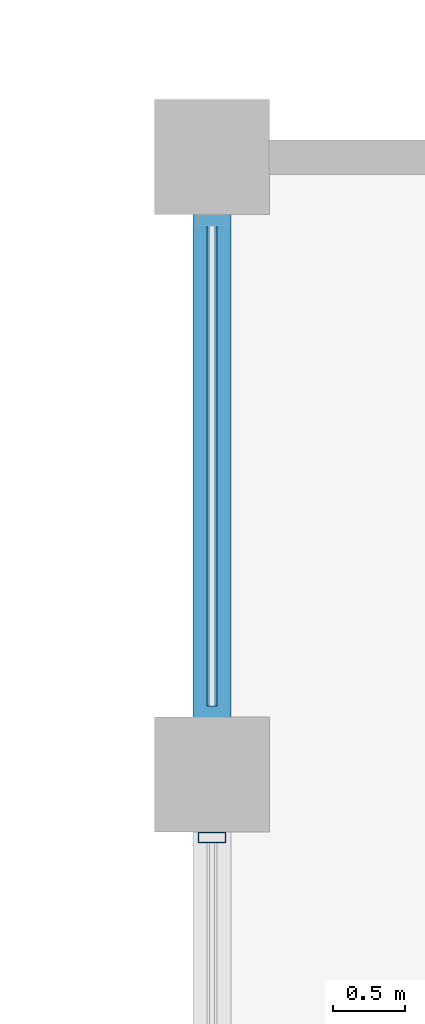
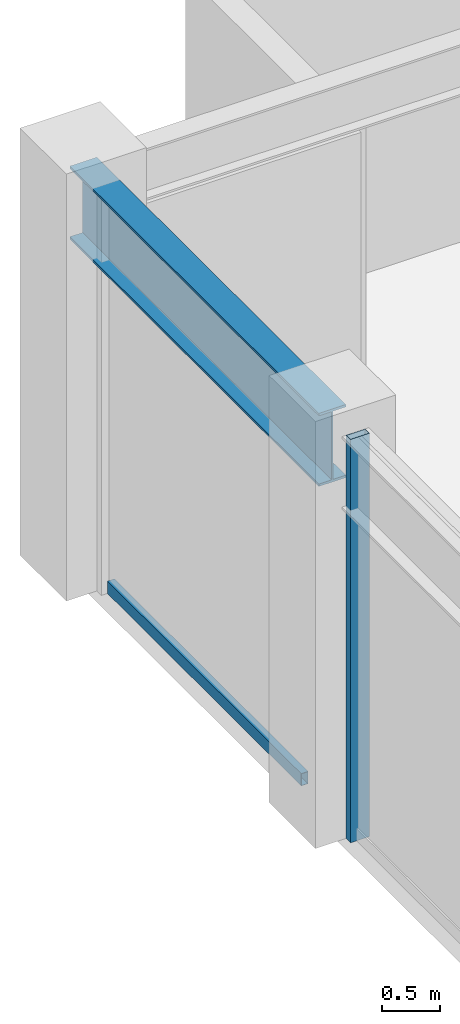
# One storey, part 14 of 28: 2 members, 1 beam, 1 element without a shape of its own.
"""IFC4 building model written with IfcOpenShell, lengths in metres."""

from ifc_helpers import new_model, si_unit, direction, frame, origin, origin_2d, place, context, subcontext, project, spatial, hollow_rectangle, i_section, extrude, material, layer, layer_set, material_profile, profile_set, type_object, element, aggregate, save


model = new_model("IFC4")

# Units and contexts
model_context = context("Model", 3, precision=1e-05, world=origin(), true_north=direction((0.0, 1.0)))
body_context = subcontext(model_context, "Body", "Model", "MODEL_VIEW")
ifc_project = project(units=[si_unit("LENGTHUNIT", "METRE"), si_unit("AREAUNIT", "SQUARE_METRE"), si_unit("VOLUMEUNIT", "CUBIC_METRE"), si_unit("PLANEANGLEUNIT", "RADIAN"), si_unit("MASSUNIT", "GRAM", prefix="KILO")], contexts=[model_context])

# Site, building, storey
site_placement = place(None, origin())
site = spatial("IfcSite", under=ifc_project, at=site_placement, CompositionType="ELEMENT")
building_placement = place(site_placement, origin())
building = spatial("IfcBuilding", under=site, at=building_placement, Name="Surkhivell Harbour Commons", CompositionType="ELEMENT")
storey_placement = place(building_placement, frame((0.0, 0.0, 249.75)))
storey = spatial("IfcBuildingStorey", under=building, at=storey_placement, Name="L65", CompositionType="ELEMENT", Elevation=249.75)

# Beam
ifc_material_1 = material(Name="Steel S355", Category="steel")
ifc_material_profile_1 = material_profile(ifc_material_1, i_section(OverallWidth=0.26806640625, OverallDepth=0.77001953125, WebThickness=0.015625, FlangeThickness=0.025390625, at=origin_2d()), Name="UB762x267x197")
ifc_profile_set_1 = profile_set([ifc_material_profile_1], Name="Steel S355")
beam_type = type_object("IfcBeamType", Name="BM-SPN-762", PredefinedType="SPANDREL", material=ifc_profile_set_1)
beam_placement = place(storey_placement, frame((-27.0, 16.199951171875, 3.864990234375), z_axis=(0.0, 1.0, 0.0), x_axis=(-1.0, 0.0, 0.0)))
element("IfcBeam", 1, at=beam_placement, inside=storey, type_object=beam_type, Name="L65 Tube Spandrel (-27.0,16.2)", PredefinedType="SPANDREL", context=body_context, shape_type="SweptSolid", body=[
    extrude(i_section(OverallWidth=0.26806640625, OverallDepth=0.77001953125, WebThickness=0.015625, FlangeThickness=0.025390625, at=origin_2d()), origin(), (0.0, 0.0, 1.0), 4.300048828125),
])

# Curtain wall, members
ifc_material_2 = material(Name="Anodised pale-metal aluminium and insulated glazing", Category="aluminium")
ifc_layer = layer(ifc_material_2, 0.18994140625)
ifc_layer_set = layer_set([ifc_layer], Name="Anodised pale-metal aluminium and insulated glazing")
curtain_wall_type = type_object("IfcCurtainWallType", Name="CW-SYS-Z3", PredefinedType="NOTDEFINED", material=ifc_layer_set)
curtain_wall_placement = place(storey_placement, origin())
curtain_wall = element("IfcCurtainWall", 2, at=curtain_wall_placement, inside=storey, type_object=curtain_wall_type, Name="L65 Curtain Wall CW-L65-E12S1", PredefinedType="NOTDEFINED")
ifc_material_3 = material(Name="Anodised pale-metal aluminium alloy 6063-T6", Category="aluminium")
ifc_material_profile_2 = material_profile(ifc_material_3, hollow_rectangle(XDim=0.074951171875, YDim=0.18994140625, WallThickness=0.00390625, at=origin_2d()), Name="ALU-MULL-75x190")
ifc_profile_set_2 = profile_set([ifc_material_profile_2], Name="Anodised pale-metal aluminium alloy 6063-T6")
member_type_1 = type_object("IfcMemberType", Name="CWM-190", PredefinedType="MULLION", material=ifc_profile_set_2)
member_1_placement = place(storey_placement, frame((-27.0, 15.760498046875, 0.0), z_axis=(0.0, 0.0, 1.0), x_axis=(0.0, -1.0, 0.0)))
member_1 = element("IfcMember", 3, at=member_1_placement, type_object=member_type_1, Name="CW-Z3 mullion 2", PredefinedType="MULLION", context=body_context, shape_type="SweptSolid", body=[
    extrude(hollow_rectangle(XDim=0.074951171875, YDim=0.18994140625, WallThickness=0.00390625, at=origin_2d()), origin(), (0.0, 0.0, 1.0), 4.25),
])
ifc_material_4 = material(Name="Champagne anodised aluminium alloy 6063-T6", Category="aluminium")
ifc_material_profile_3 = material_profile(ifc_material_4, hollow_rectangle(XDim=0.070068359375, YDim=0.1298828125, WallThickness=0.00341796875, at=origin_2d()), Name="ALU-TRAN-70x130")
ifc_profile_set_3 = profile_set([ifc_material_profile_3], Name="Champagne anodised aluminium alloy 6063-T6")
member_type_2 = type_object("IfcMemberType", Name="CWT-130", PredefinedType="USERDEFINED", material=ifc_profile_set_3)
member_2_placement = place(storey_placement, frame((-27.0, 20.02294921875, 0.06494140625), z_axis=(0.0, -1.0, 0.0), x_axis=(1.0, 0.0, 0.0)))
member_2 = element("IfcMember", 4, at=member_2_placement, type_object=member_type_2, Name="CW-Z3 transom 1.1", ObjectType="TRANSOM", PredefinedType="USERDEFINED", context=body_context, shape_type="SweptSolid", body=[
    extrude(hollow_rectangle(XDim=0.070068359375, YDim=0.1298828125, WallThickness=0.00341796875, at=origin_2d()), origin(), (0.0, 0.0, 1.0), 3.345947265625),
])
aggregate(curtain_wall, [member_2, member_1])

save(model, "model.ifc")
